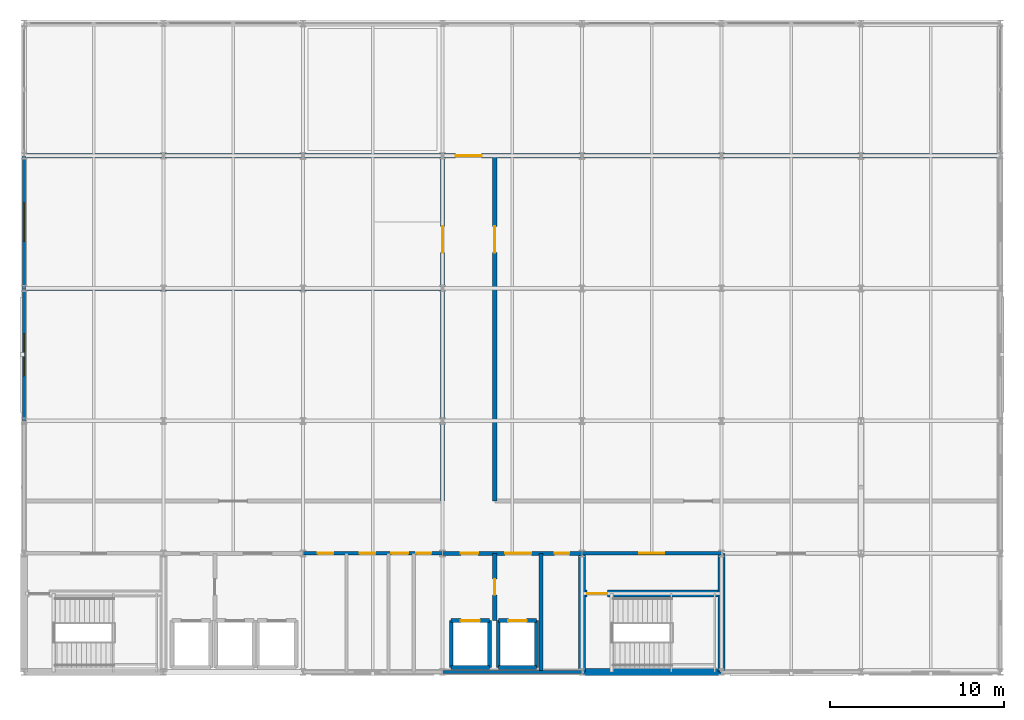
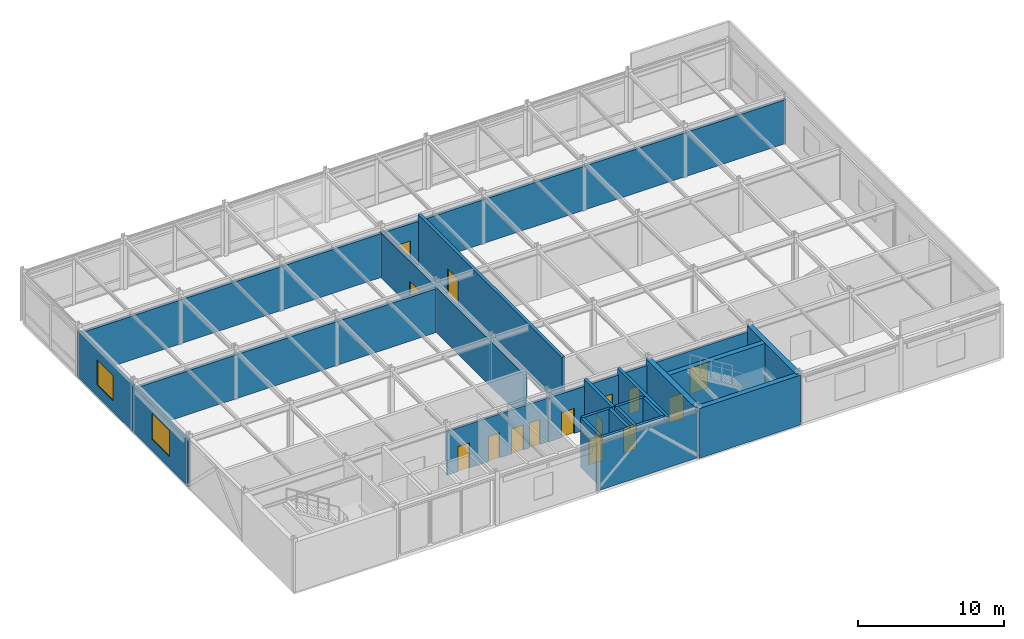
# One storey, part 14 of 16: 24 walls, 15 doors, 2 windows, 17 openings.
"""IFC4 building model written with IfcOpenShell, lengths in metres."""

from ifc_helpers import new_model, si_unit, direction, frame, frame_2d, origin, place, context, subcontext, project, spatial, rectangle, extrude, material, layer, layer_set, type_object, element, fill, save


model = new_model("IFC4")

# Units and contexts
model_context = context("Model", 3, precision=1e-05, world=origin(), true_north=direction((0.0, 1.0)))
body_context = subcontext(model_context, "Body", "Model", "MODEL_VIEW")
ifc_project = project(units=[si_unit("LENGTHUNIT", "METRE"), si_unit("AREAUNIT", "SQUARE_METRE"), si_unit("VOLUMEUNIT", "CUBIC_METRE"), si_unit("PLANEANGLEUNIT", "RADIAN"), si_unit("MASSUNIT", "GRAM", prefix="KILO")], contexts=[model_context])

# Site, building, storey
site_placement = place(None, origin())
site = spatial("IfcSite", under=ifc_project, at=site_placement, CompositionType="ELEMENT")
building_placement = place(site_placement, origin())
building = spatial("IfcBuilding", under=site, at=building_placement, Name="Shalkamar Park Central Library", CompositionType="ELEMENT")
storey_placement = place(building_placement, frame((0.0, 0.0, 51.60009765625)))
storey = spatial("IfcBuildingStorey", under=building, at=storey_placement, Name="L13", CompositionType="ELEMENT", Elevation=51.60009765625)

# Wall, opening, door
ifc_material_1 = material(Name="Reinforced fire-compartment masonry wall", Category="masonry")
ifc_layer_1 = layer(ifc_material_1, 0.239990234375)
ifc_layer_set_1 = layer_set([ifc_layer_1], Name="CompartmentWall_240")
wall_type_1 = type_object("IfcWallType", Name="Compartment Wall 240", PredefinedType="PARTITIONING", material=ifc_layer_set_1)
wall_1_placement = place(storey_placement, frame((192.0, 251.35009765625, 0.0), z_axis=(0.0, 0.0, 1.0), x_axis=(0.0, 1.0, 0.0)))
wall_1 = element("IfcWall", 1, at=wall_1_placement, inside=storey, type_object=wall_type_1, Name="Interior Partition WL-INT-L13-002", PredefinedType="PARTITIONING", context=body_context, shape_type="SweptSolid", body=[
    extrude(rectangle(XDim=3.849853515625, YDim=0.239990234375, at=frame_2d((1.9248046875, 0.0))), origin(), (0.0, 0.0, 1.0), 4.179931640625),
])
opening_1_placement = place(wall_1_placement, frame((1.47509765625, 0.0, 0.0)))
opening_1 = element("IfcOpeningElement", 2, at=opening_1_placement, cuts=wall_1, Name="Opening DR-L13-002", PredefinedType="OPENING", context=body_context, shape_type="SweptSolid", body=[
    extrude(rectangle(XDim=0.89990234375, YDim=2.10009765625, at=frame_2d((0.449951171875, 1.050048828125))), frame((0.0, 0.134765625, 0.0), z_axis=(0.0, -1.0, 0.0), x_axis=(1.0, 0.0, 0.0)), (0.0, 0.0, 1.0), 0.269775390625),
])
ifc_material_2 = material(Name="Steel S355", Category="steel")
door_type_1 = type_object("IfcDoorType", Name="Fire Door Single 900x2100", OperationType="NOTDEFINED", PredefinedType="DOOR", material=ifc_material_2)
door_1_placement = place(opening_1_placement, origin())
door_1 = element("IfcDoor", 3, at=door_1_placement, inside=storey, type_object=door_type_1, Name="Fire Lobby Interconnect Door", OperationType="SINGLE_SWING_LEFT", OverallHeight=2.10009765625, OverallWidth=0.89990234375, PredefinedType="DOOR", context=body_context, shape_type="SweptSolid", body=[
    extrude(rectangle(XDim=0.89990234375, YDim=2.10009765625, at=frame_2d((0.449951171875, 1.050048828125))), frame((0.0, 0.02490234375, 0.0), z_axis=(0.0, -1.0, 0.0), x_axis=(1.0, 0.0, 0.0)), (0.0, 0.0, 1.0), 0.050048828125),
])
fill(opening_1, door_1)

# Wall, openings, doors
wall_2_placement = place(storey_placement, frame((189.0, 255.199951171875, 0.0), z_axis=(0.0, 0.0, 1.0), x_axis=(1.0, 0.0, 0.0)))
wall_2 = element("IfcWall", 4, at=wall_2_placement, inside=storey, type_object=wall_type_1, Name="Interior Partition WL-INT-L13-009", PredefinedType="PARTITIONING", context=body_context, shape_type="SweptSolid", body=[
    extrude(rectangle(XDim=8.0, YDim=0.239990234375, at=frame_2d((4.0, 0.0))), origin(), (0.0, 0.0, 1.0), 3.677978515625),
])
opening_2_placement = place(wall_2_placement, frame((1.050048828125, 0.0, 0.0)))
opening_2 = element("IfcOpeningElement", 5, at=opening_2_placement, cuts=wall_2, Name="Opening DR-L13-009", PredefinedType="OPENING", context=body_context, shape_type="SweptSolid", body=[
    extrude(rectangle(XDim=1.0, YDim=2.10009765625, at=frame_2d((0.5, 1.050048828125))), frame((0.0, 0.134765625, 0.0), z_axis=(0.0, -1.0, 0.0), x_axis=(1.0, 0.0, 0.0)), (0.0, 0.0, 1.0), 0.269775390625),
])
opening_3_placement = place(wall_2_placement, frame((3.60009765625, 0.0, 0.0)))
opening_3 = element("IfcOpeningElement", 6, at=opening_3_placement, cuts=wall_2, Name="Opening DR-L13-010", PredefinedType="OPENING", context=body_context, shape_type="SweptSolid", body=[
    extrude(rectangle(XDim=1.5, YDim=2.25, at=frame_2d((0.75, 1.125))), frame((0.0, 0.134765625, 0.0), z_axis=(0.0, -1.0, 0.0), x_axis=(1.0, 0.0, 0.0)), (0.0, 0.0, 1.0), 0.269775390625),
])
opening_4_placement = place(wall_2_placement, frame((6.425048828125, 0.0, 0.0)))
opening_4 = element("IfcOpeningElement", 7, at=opening_4_placement, cuts=wall_2, Name="Opening DR-L13-011", PredefinedType="OPENING", context=body_context, shape_type="SweptSolid", body=[
    extrude(rectangle(XDim=0.85009765625, YDim=2.10009765625, at=frame_2d((0.425048828125, 1.050048828125))), frame((0.0, 0.134765625, 0.0), z_axis=(0.0, -1.0, 0.0), x_axis=(1.0, 0.0, 0.0)), (0.0, 0.0, 1.0), 0.269775390625),
])
door_type_2 = type_object("IfcDoorType", Name="Fire Door Riser 850x2100", OperationType="NOTDEFINED", PredefinedType="DOOR", material=ifc_material_2)
door_2_placement = place(opening_4_placement, frame((0.85009765625, 0.0, 0.0), z_axis=(0.0, 0.0, 1.0), x_axis=(-1.0, 0.0, 0.0)))
door_2 = element("IfcDoor", 8, at=door_2_placement, inside=storey, type_object=door_type_2, Name="Mechanical Riser Access Door", OperationType="SINGLE_SWING_LEFT", OverallHeight=2.10009765625, OverallWidth=0.85009765625, PredefinedType="DOOR", context=body_context, shape_type="SweptSolid", body=[
    extrude(rectangle(XDim=0.85009765625, YDim=2.10009765625, at=frame_2d((0.425048828125, 1.050048828125))), frame((0.0, 0.02490234375, 0.0), z_axis=(0.0, -1.0, 0.0), x_axis=(1.0, 0.0, 0.0)), (0.0, 0.0, 1.0), 0.050048828125),
])
fill(opening_4, door_2)
door_type_3 = type_object("IfcDoorType", Name="Fire Door Single 1000x2100", OperationType="NOTDEFINED", PredefinedType="DOOR", material=ifc_material_2)
door_3_placement = place(opening_2_placement, frame((1.0, 0.0, 0.0), z_axis=(0.0, 0.0, 1.0), x_axis=(-1.0, 0.0, 0.0)))
door_3 = element("IfcDoor", 9, at=door_3_placement, inside=storey, type_object=door_type_3, Name="East Firefighting Lobby Door", OperationType="SINGLE_SWING_RIGHT", OverallHeight=2.10009765625, OverallWidth=1.0, PredefinedType="DOOR", context=body_context, shape_type="SweptSolid", body=[
    extrude(rectangle(XDim=1.0, YDim=2.10009765625, at=frame_2d((0.5, 1.050048828125))), frame((0.0, 0.02490234375, 0.0), z_axis=(0.0, -1.0, 0.0), x_axis=(1.0, 0.0, 0.0)), (0.0, 0.0, 1.0), 0.050048828125),
])
fill(opening_2, door_3)
door_type_4 = type_object("IfcDoorType", Name="Interior Door Double 1500x2250", OperationType="DOUBLE_DOOR_SINGLE_SWING", PredefinedType="DOOR", material=ifc_material_2)
door_4_placement = place(opening_3_placement, frame((1.5, 0.0, 0.0), z_axis=(0.0, 0.0, 1.0), x_axis=(-1.0, 0.0, 0.0)))
door_4 = element("IfcDoor", 10, at=door_4_placement, inside=storey, type_object=door_type_4, Name="East Lift Lobby Entrance", OperationType="DOUBLE_DOOR_SINGLE_SWING", OverallHeight=2.25, OverallWidth=1.5, PredefinedType="DOOR", context=body_context, shape_type="SweptSolid", body=[
    extrude(rectangle(XDim=1.5, YDim=2.25, at=frame_2d((0.75, 1.125))), frame((0.0, 0.02490234375, 0.0), z_axis=(0.0, -1.0, 0.0), x_axis=(1.0, 0.0, 0.0)), (0.0, 0.0, 1.0), 0.050048828125),
])
fill(opening_3, door_4)

# Wall, opening, door
wall_3_placement = place(storey_placement, frame((189.0, 258.199951171875, 0.0), z_axis=(0.0, 0.0, 1.0), x_axis=(0.0, 1.0, 0.0)))
wall_3 = element("IfcWall", 11, at=wall_3_placement, inside=storey, type_object=wall_type_1, Name="Interior Partition WL-INT-L13-013", PredefinedType="PARTITIONING", context=body_context, shape_type="SweptSolid", body=[
    extrude(rectangle(XDim=19.800048828125, YDim=0.239990234375, at=frame_2d((9.89990234375, 0.0))), origin(), (0.0, 0.0, 1.0), 3.77783203125),
])
opening_5_placement = place(wall_3_placement, frame((14.25, 0.0, 0.0)))
opening_5 = element("IfcOpeningElement", 12, at=opening_5_placement, cuts=wall_3, Name="Opening DR-L13-015", PredefinedType="OPENING", context=body_context, shape_type="SweptSolid", body=[
    extrude(rectangle(XDim=1.5, YDim=2.10009765625, at=frame_2d((0.75, 1.050048828125))), frame((0.0, 0.134765625, 0.0), z_axis=(0.0, -1.0, 0.0), x_axis=(1.0, 0.0, 0.0)), (0.0, 0.0, 1.0), 0.269775390625),
])
door_type_5 = type_object("IfcDoorType", Name="Fire Door Double 1500x2100", OperationType="DOUBLE_DOOR_SINGLE_SWING", PredefinedType="DOOR", material=ifc_material_2)
door_5_placement = place(opening_5_placement, origin())
door_5 = element("IfcDoor", 13, at=door_5_placement, inside=storey, type_object=door_type_5, Name="Hydronic Calorifier Plant Door", OperationType="DOUBLE_DOOR_SINGLE_SWING", OverallHeight=2.10009765625, OverallWidth=1.5, PredefinedType="DOOR", context=body_context, shape_type="SweptSolid", body=[
    extrude(rectangle(XDim=1.5, YDim=2.10009765625, at=frame_2d((0.75, 1.050048828125))), frame((0.0, 0.02490234375, 0.0), z_axis=(0.0, -1.0, 0.0), x_axis=(1.0, 0.0, 0.0)), (0.0, 0.0, 1.0), 0.050048828125),
])
fill(opening_5, door_5)

wall_4_placement = place(storey_placement, frame((192.0, 258.199951171875, 0.0), z_axis=(0.0, 0.0, 1.0), x_axis=(0.0, 1.0, 0.0)))
wall_4 = element("IfcWall", 14, at=wall_4_placement, inside=storey, type_object=wall_type_1, Name="Interior Partition WL-INT-L13-014", PredefinedType="PARTITIONING", context=body_context, shape_type="SweptSolid", body=[
    extrude(rectangle(XDim=19.800048828125, YDim=0.239990234375, at=frame_2d((9.89990234375, 0.0))), origin(), (0.0, 0.0, 1.0), 4.179931640625),
])
opening_6_placement = place(wall_4_placement, frame((14.25, 0.0, 0.0)))
opening_6 = element("IfcOpeningElement", 15, at=opening_6_placement, cuts=wall_4, Name="Opening DR-L13-016", PredefinedType="OPENING", context=body_context, shape_type="SweptSolid", body=[
    extrude(rectangle(XDim=1.5, YDim=2.10009765625, at=frame_2d((0.75, 1.050048828125))), frame((0.0, 0.134765625, 0.0), z_axis=(0.0, -1.0, 0.0), x_axis=(1.0, 0.0, 0.0)), (0.0, 0.0, 1.0), 0.269775390625),
])
door_6_placement = place(opening_6_placement, frame((1.5, 0.0, 0.0), z_axis=(0.0, 0.0, 1.0), x_axis=(-1.0, 0.0, 0.0)))
door_6 = element("IfcDoor", 16, at=door_6_placement, inside=storey, type_object=door_type_5, Name="Tower Electrical Switchgear Door", OperationType="DOUBLE_DOOR_SINGLE_SWING", OverallHeight=2.10009765625, OverallWidth=1.5, PredefinedType="DOOR", context=body_context, shape_type="SweptSolid", body=[
    extrude(rectangle(XDim=1.5, YDim=2.10009765625, at=frame_2d((0.75, 1.050048828125))), frame((0.0, 0.02490234375, 0.0), z_axis=(0.0, -1.0, 0.0), x_axis=(1.0, 0.0, 0.0)), (0.0, 0.0, 1.0), 0.050048828125),
])
fill(opening_6, door_6)

# Wall
wall_5_placement = place(storey_placement, frame((165.0, 270.39990234375, 0.0), z_axis=(0.0, 0.0, 1.0), x_axis=(1.0, 0.0, 0.0)))
element("IfcWall", 17, at=wall_5_placement, inside=storey, type_object=wall_type_1, Name="Interior Partition WL-INT-L13-015", PredefinedType="PARTITIONING", context=body_context, shape_type="SweptSolid", body=[
    extrude(rectangle(XDim=24.0, YDim=0.239990234375, at=frame_2d((12.0, 0.0))), origin(), (0.0, 0.0, 1.0), 3.677978515625),
])

# Wall, opening, door
wall_6_placement = place(storey_placement, frame((165.0, 278.0, 0.0), z_axis=(0.0, 0.0, 1.0), x_axis=(1.0, 0.0, 0.0)))
wall_6 = element("IfcWall", 18, at=wall_6_placement, inside=storey, type_object=wall_type_1, Name="Interior Partition WL-INT-L13-017", PredefinedType="PARTITIONING", context=body_context, shape_type="SweptSolid", body=[
    extrude(rectangle(XDim=56.0, YDim=0.239990234375, at=frame_2d((28.0, 0.0))), origin(), (0.0, 0.0, 1.0), 3.677978515625),
])
opening_7_placement = place(wall_6_placement, frame((24.75, 0.0, 0.0)))
opening_7 = element("IfcOpeningElement", 19, at=opening_7_placement, cuts=wall_6, Name="Opening DR-L13-017", PredefinedType="OPENING", context=body_context, shape_type="SweptSolid", body=[
    extrude(rectangle(XDim=1.5, YDim=2.25, at=frame_2d((0.75, 1.125))), frame((0.0, 0.134765625, 0.0), z_axis=(0.0, -1.0, 0.0), x_axis=(1.0, 0.0, 0.0)), (0.0, 0.0, 1.0), 0.269775390625),
])
door_type_6 = type_object("IfcDoorType", Name="Fire Door Double 1500x2250", OperationType="DOUBLE_DOOR_SINGLE_SWING", PredefinedType="DOOR", material=ifc_material_2)
door_7_placement = place(opening_7_placement, origin())
door_7 = element("IfcDoor", 20, at=door_7_placement, inside=storey, type_object=door_type_6, Name="L13 Sky Reading Room Entrance", OperationType="DOUBLE_DOOR_SINGLE_SWING", OverallHeight=2.25, OverallWidth=1.5, PredefinedType="DOOR", context=body_context, shape_type="SweptSolid", body=[
    extrude(rectangle(XDim=1.5, YDim=2.25, at=frame_2d((0.75, 1.125))), frame((0.0, 0.02490234375, 0.0), z_axis=(0.0, -1.0, 0.0), x_axis=(1.0, 0.0, 0.0)), (0.0, 0.0, 1.0), 0.050048828125),
])
fill(opening_7, door_7)

ifc_material_3 = material(Name="Fire-rated corridor partition wall", Category="masonry")
ifc_layer_2 = layer(ifc_material_3, 0.199951171875)
ifc_layer_set_2 = layer_set([ifc_layer_2], Name="CorridorFireWall_200")
wall_type_2 = type_object("IfcWallType", Name="Corridor Fire Wall 200", PredefinedType="PARTITIONING", material=ifc_layer_set_2)
wall_7_placement = place(storey_placement, frame((197.0, 255.199951171875, 0.0), z_axis=(0.0, 0.0, 1.0), x_axis=(1.0, 0.0, 0.0)))
wall_7 = element("IfcWall", 21, at=wall_7_placement, inside=storey, type_object=wall_type_2, Name="CORE-T2 Vestibule North Wall (L13)", PredefinedType="PARTITIONING", context=body_context, shape_type="SweptSolid", body=[
    extrude(rectangle(XDim=8.0, YDim=0.199951171875, at=frame_2d((4.0, 0.0))), origin(), (0.0, 0.0, 1.0), 3.677978515625),
])
opening_8_placement = place(wall_7_placement, frame((3.27490234375, 0.0, 0.0)))
opening_8 = element("IfcOpeningElement", 22, at=opening_8_placement, cuts=wall_7, Name="Opening DR-ST-T2-L13-VEST", PredefinedType="OPENING", context=body_context, shape_type="SweptSolid", body=[
    extrude(rectangle(XDim=1.449951171875, YDim=2.199951171875, at=frame_2d((0.72509765625, 1.10009765625))), frame((0.0, 0.11474609375, 0.0), z_axis=(0.0, -1.0, 0.0), x_axis=(1.0, 0.0, 0.0)), (0.0, 0.0, 1.0), 0.229736328125),
])
door_type_7 = type_object("IfcDoorType", Name="Stair Vestibule Door 1450x2200", OperationType="DOUBLE_DOOR_SINGLE_SWING", PredefinedType="DOOR", material=ifc_material_2)
door_8_placement = place(opening_8_placement, frame((1.449951171875, 0.0, 0.0), z_axis=(0.0, 0.0, 1.0), x_axis=(-1.0, 0.0, 0.0)))
door_8 = element("IfcDoor", 23, at=door_8_placement, inside=storey, type_object=door_type_7, Name="Protected Stair ST-T2 Vestibule Door (L13)", OperationType="DOUBLE_DOOR_SINGLE_SWING", OverallHeight=2.199951171875, OverallWidth=1.449951171875, PredefinedType="DOOR", context=body_context, shape_type="SweptSolid", body=[
    extrude(rectangle(XDim=1.449951171875, YDim=2.199951171875, at=frame_2d((0.72509765625, 1.10009765625))), frame((0.0, 0.02490234375, 0.0), z_axis=(0.0, -1.0, 0.0), x_axis=(1.0, 0.0, 0.0)), (0.0, 0.0, 1.0), 0.050048828125),
])
fill(opening_8, door_8)

# Wall, openings, doors
wall_8_placement = place(storey_placement, frame((181.0, 255.199951171875, 0.0), z_axis=(0.0, 0.0, 1.0), x_axis=(1.0, 0.0, 0.0)))
wall_8 = element("IfcWall", 24, at=wall_8_placement, inside=storey, type_object=wall_type_2, Name="Interior Partition WL-INT-L13-008", PredefinedType="PARTITIONING", context=body_context, shape_type="SweptSolid", body=[
    extrude(rectangle(XDim=8.0, YDim=0.199951171875, at=frame_2d((4.0, 0.0))), origin(), (0.0, 0.0, 1.0), 3.677978515625),
])
opening_9_placement = place(wall_8_placement, frame((0.85009765625, 0.0, 0.0)))
opening_9 = element("IfcOpeningElement", 25, at=opening_9_placement, cuts=wall_8, Name="Opening DR-L13-005", PredefinedType="OPENING", context=body_context, shape_type="SweptSolid", body=[
    extrude(rectangle(XDim=0.89990234375, YDim=2.10009765625, at=frame_2d((0.449951171875, 1.050048828125))), frame((0.0, 0.11474609375, 0.0), z_axis=(0.0, -1.0, 0.0), x_axis=(1.0, 0.0, 0.0)), (0.0, 0.0, 1.0), 0.229736328125),
])
opening_10_placement = place(wall_8_placement, frame((3.25, 0.0, 0.0)))
opening_10 = element("IfcOpeningElement", 26, at=opening_10_placement, cuts=wall_8, Name="Opening DR-L13-006", PredefinedType="OPENING", context=body_context, shape_type="SweptSolid", body=[
    extrude(rectangle(XDim=0.89990234375, YDim=2.10009765625, at=frame_2d((0.449951171875, 1.050048828125))), frame((0.0, 0.11474609375, 0.0), z_axis=(0.0, -1.0, 0.0), x_axis=(1.0, 0.0, 0.0)), (0.0, 0.0, 1.0), 0.229736328125),
])
opening_11_placement = place(wall_8_placement, frame((5.074951171875, 0.0, 0.0)))
opening_11 = element("IfcOpeningElement", 27, at=opening_11_placement, cuts=wall_8, Name="Opening DR-L13-007", PredefinedType="OPENING", context=body_context, shape_type="SweptSolid", body=[
    extrude(rectangle(XDim=0.949951171875, YDim=2.10009765625, at=frame_2d((0.47509765625, 1.050048828125))), frame((0.0, 0.11474609375, 0.0), z_axis=(0.0, -1.0, 0.0), x_axis=(1.0, 0.0, 0.0)), (0.0, 0.0, 1.0), 0.229736328125),
])
opening_12_placement = place(wall_8_placement, frame((6.5, 0.0, 0.0)))
opening_12 = element("IfcOpeningElement", 28, at=opening_12_placement, cuts=wall_8, Name="Opening DR-L13-008", PredefinedType="OPENING", context=body_context, shape_type="SweptSolid", body=[
    extrude(rectangle(XDim=0.85009765625, YDim=2.10009765625, at=frame_2d((0.425048828125, 1.050048828125))), frame((0.0, 0.11474609375, 0.0), z_axis=(0.0, -1.0, 0.0), x_axis=(1.0, 0.0, 0.0)), (0.0, 0.0, 1.0), 0.229736328125),
])
door_9_placement = place(opening_12_placement, frame((0.85009765625, 0.0, 0.0), z_axis=(0.0, 0.0, 1.0), x_axis=(-1.0, 0.0, 0.0)))
door_9 = element("IfcDoor", 29, at=door_9_placement, inside=storey, type_object=door_type_2, Name="Electrical Riser Access Door", OperationType="SINGLE_SWING_LEFT", OverallHeight=2.10009765625, OverallWidth=0.85009765625, PredefinedType="DOOR", context=body_context, shape_type="SweptSolid", body=[
    extrude(rectangle(XDim=0.85009765625, YDim=2.10009765625, at=frame_2d((0.425048828125, 1.050048828125))), frame((0.0, 0.02490234375, 0.0), z_axis=(0.0, -1.0, 0.0), x_axis=(1.0, 0.0, 0.0)), (0.0, 0.0, 1.0), 0.050048828125),
])
fill(opening_12, door_9)
door_type_8 = type_object("IfcDoorType", Name="Interior Door Single 900x2100", OperationType="NOTDEFINED", PredefinedType="DOOR", material=ifc_material_2)
door_10_placement = place(opening_9_placement, frame((0.89990234375, 0.0, 0.0), z_axis=(0.0, 0.0, 1.0), x_axis=(-1.0, 0.0, 0.0)))
door_10 = element("IfcDoor", 30, at=door_10_placement, inside=storey, type_object=door_type_8, Name="Male WC Door", OperationType="SINGLE_SWING_RIGHT", OverallHeight=2.10009765625, OverallWidth=0.89990234375, PredefinedType="DOOR", context=body_context, shape_type="SweptSolid", body=[
    extrude(rectangle(XDim=0.89990234375, YDim=2.10009765625, at=frame_2d((0.449951171875, 1.050048828125))), frame((0.0, 0.02490234375, 0.0), z_axis=(0.0, -1.0, 0.0), x_axis=(1.0, 0.0, 0.0)), (0.0, 0.0, 1.0), 0.050048828125),
])
fill(opening_9, door_10)
door_11_placement = place(opening_10_placement, frame((0.89990234375, 0.0, 0.0), z_axis=(0.0, 0.0, 1.0), x_axis=(-1.0, 0.0, 0.0)))
door_11 = element("IfcDoor", 31, at=door_11_placement, inside=storey, type_object=door_type_8, Name="Female WC Door", OperationType="SINGLE_SWING_RIGHT", OverallHeight=2.10009765625, OverallWidth=0.89990234375, PredefinedType="DOOR", context=body_context, shape_type="SweptSolid", body=[
    extrude(rectangle(XDim=0.89990234375, YDim=2.10009765625, at=frame_2d((0.449951171875, 1.050048828125))), frame((0.0, 0.02490234375, 0.0), z_axis=(0.0, -1.0, 0.0), x_axis=(1.0, 0.0, 0.0)), (0.0, 0.0, 1.0), 0.050048828125),
])
fill(opening_10, door_11)
door_type_9 = type_object("IfcDoorType", Name="Interior Door Single 950x2100", OperationType="NOTDEFINED", PredefinedType="DOOR", material=ifc_material_2)
door_12_placement = place(opening_11_placement, frame((0.949951171875, 0.0, 0.0), z_axis=(0.0, 0.0, 1.0), x_axis=(-1.0, 0.0, 0.0)))
door_12 = element("IfcDoor", 32, at=door_12_placement, inside=storey, type_object=door_type_9, Name="Universal Accessible WC Door", OperationType="SINGLE_SWING_LEFT", OverallHeight=2.10009765625, OverallWidth=0.949951171875, PredefinedType="DOOR", context=body_context, shape_type="SweptSolid", body=[
    extrude(rectangle(XDim=0.949951171875, YDim=2.10009765625, at=frame_2d((0.47509765625, 1.050048828125))), frame((0.0, 0.02490234375, 0.0), z_axis=(0.0, -1.0, 0.0), x_axis=(1.0, 0.0, 0.0)), (0.0, 0.0, 1.0), 0.050048828125),
])
fill(opening_11, door_12)

# Walls
ifc_material_4 = material(Name="Concrete C40/50", Category="concrete")
ifc_layer_3 = layer(ifc_material_4, 0.219970703125)
ifc_layer_set_3 = layer_set([ifc_layer_3], Name="Concrete C40/50")
wall_type_3 = type_object("IfcWallType", Name="Lift Hoistway Shear Wall 220", PredefinedType="SHEAR", material=ifc_layer_set_3)
wall_9_placement = place(storey_placement, frame((189.5, 248.64990234375, 0.0), z_axis=(0.0, 0.0, 1.0), x_axis=(1.0, 0.0, 0.0)))
element("IfcWall", 33, at=wall_9_placement, inside=storey, type_object=wall_type_3, Name="Lift FFL-02 Hoistway South Wall (L13)", PredefinedType="SHEAR", context=body_context, shape_type="SweptSolid", body=[
    extrude(rectangle(XDim=2.199951171875, YDim=0.219970703125, at=frame_2d((1.10009765625, 0.0))), origin(), (0.0, 0.0, 1.0), 4.179931640625),
])
for number, where, z_axis, x_axis, name in (
    (34, (189.5, 248.64990234375, 0.0), (0.0, 0.0, 1.0), (0.0, 1.0, 0.0), "Lift FFL-02 Hoistway West Wall (L13)"),
    (35, (191.699951171875, 248.64990234375, 0.0), (0.0, 0.0, 1.0), (0.0, 1.0, 0.0), "Lift FFL-02 Hoistway East Wall (L13)"),
):
    element("IfcWall", number, at=place(storey_placement, frame(where, z_axis=z_axis, x_axis=x_axis)), inside=storey, type_object=wall_type_3, Name=name, PredefinedType="SHEAR", context=body_context, shape_type="SweptSolid", body=[
        extrude(rectangle(XDim=2.7001953125, YDim=0.219970703125, at=frame_2d((1.35009765625, 0.0))), origin(), (0.0, 0.0, 1.0), 4.179931640625),
    ])

# Wall, opening, door
wall_10_placement = place(storey_placement, frame((189.5, 251.35009765625, 0.0), z_axis=(0.0, 0.0, 1.0), x_axis=(1.0, 0.0, 0.0)))
wall_10 = element("IfcWall", 36, at=wall_10_placement, inside=storey, type_object=wall_type_3, Name="Lift FFL-02 Hoistway Front Wall (L13)", PredefinedType="SHEAR", context=body_context, shape_type="SweptSolid", body=[
    extrude(rectangle(XDim=2.199951171875, YDim=0.219970703125, at=frame_2d((1.10009765625, 0.0))), origin(), (0.0, 0.0, 1.0), 4.179931640625),
])
opening_13_placement = place(wall_10_placement, frame((0.550048828125, 0.0, 0.0)))
opening_13 = element("IfcOpeningElement", 37, at=opening_13_placement, cuts=wall_10, Name="Opening LD-FFL-02-L13", PredefinedType="OPENING", context=body_context, shape_type="SweptSolid", body=[
    extrude(rectangle(XDim=1.10009765625, YDim=2.14990234375, at=frame_2d((0.550048828125, 1.074951171875))), frame((0.0, 0.125, 0.0), z_axis=(0.0, -1.0, 0.0), x_axis=(1.0, 0.0, 0.0)), (0.0, 0.0, 1.0), 0.249755859375),
])
door_type_10 = type_object("IfcDoorType", Name="Fire Lift Landing Door 1100x2150", OperationType="DOUBLE_DOOR_SLIDING", PredefinedType="USERDEFINED", material=ifc_material_2)
door_13_placement = place(opening_13_placement, origin())
door_13 = element("IfcDoor", 38, at=door_13_placement, inside=storey, type_object=door_type_10, Name="Lift FFL-02 Sliding Landing Door (L13)", ObjectType="SLIDING LANDING DOOR", OperationType="DOUBLE_DOOR_SLIDING", OverallHeight=2.14990234375, OverallWidth=1.10009765625, PredefinedType="USERDEFINED", context=body_context, shape_type="SweptSolid", body=[
    extrude(rectangle(XDim=1.10009765625, YDim=2.14990234375, at=frame_2d((0.550048828125, 1.074951171875))), frame((0.0, 0.02490234375, 0.0), z_axis=(0.0, -1.0, 0.0), x_axis=(1.0, 0.0, 0.0)), (0.0, 0.0, 1.0), 0.050048828125),
])
fill(opening_13, door_13)

# Walls
wall_11_placement = place(storey_placement, frame((192.199951171875, 248.64990234375, 0.0), z_axis=(0.0, 0.0, 1.0), x_axis=(1.0, 0.0, 0.0)))
element("IfcWall", 39, at=wall_11_placement, inside=storey, type_object=wall_type_3, Name="Lift LT-03 Hoistway South Wall (L13)", PredefinedType="SHEAR", context=body_context, shape_type="SweptSolid", body=[
    extrude(rectangle(XDim=2.199951171875, YDim=0.219970703125, at=frame_2d((1.10009765625, 0.0))), origin(), (0.0, 0.0, 1.0), 4.179931640625),
])
for number, where, z_axis, x_axis, name in (
    (40, (192.199951171875, 248.64990234375, 0.0), (0.0, 0.0, 1.0), (0.0, 1.0, 0.0), "Lift LT-03 Hoistway West Wall (L13)"),
    (41, (194.39990234375, 248.64990234375, 0.0), (0.0, 0.0, 1.0), (0.0, 1.0, 0.0), "Lift LT-03 Hoistway East Wall (L13)"),
):
    element("IfcWall", number, at=place(storey_placement, frame(where, z_axis=z_axis, x_axis=x_axis)), inside=storey, type_object=wall_type_3, Name=name, PredefinedType="SHEAR", context=body_context, shape_type="SweptSolid", body=[
        extrude(rectangle(XDim=2.7001953125, YDim=0.219970703125, at=frame_2d((1.35009765625, 0.0))), origin(), (0.0, 0.0, 1.0), 4.179931640625),
    ])

# Wall, opening, door
wall_12_placement = place(storey_placement, frame((192.199951171875, 251.35009765625, 0.0), z_axis=(0.0, 0.0, 1.0), x_axis=(1.0, 0.0, 0.0)))
wall_12 = element("IfcWall", 42, at=wall_12_placement, inside=storey, type_object=wall_type_3, Name="Lift LT-03 Hoistway Front Wall (L13)", PredefinedType="SHEAR", context=body_context, shape_type="SweptSolid", body=[
    extrude(rectangle(XDim=2.199951171875, YDim=0.219970703125, at=frame_2d((1.10009765625, 0.0))), origin(), (0.0, 0.0, 1.0), 4.179931640625),
])
opening_14_placement = place(wall_12_placement, frame((0.574951171875, 0.0, 0.0)))
opening_14 = element("IfcOpeningElement", 43, at=opening_14_placement, cuts=wall_12, Name="Opening LD-LT-03-L13", PredefinedType="OPENING", context=body_context, shape_type="SweptSolid", body=[
    extrude(rectangle(XDim=1.050048828125, YDim=2.14990234375, at=frame_2d((0.52490234375, 1.074951171875))), frame((0.0, 0.125, 0.0), z_axis=(0.0, -1.0, 0.0), x_axis=(1.0, 0.0, 0.0)), (0.0, 0.0, 1.0), 0.249755859375),
])
door_type_11 = type_object("IfcDoorType", Name="Passenger Lift Landing Door 1050x2150", OperationType="DOUBLE_DOOR_SLIDING", PredefinedType="USERDEFINED", material=ifc_material_2)
door_14_placement = place(opening_14_placement, origin())
door_14 = element("IfcDoor", 44, at=door_14_placement, inside=storey, type_object=door_type_11, Name="Lift LT-03 Sliding Landing Door (L13)", ObjectType="SLIDING LANDING DOOR", OperationType="DOUBLE_DOOR_SLIDING", OverallHeight=2.14990234375, OverallWidth=1.050048828125, PredefinedType="USERDEFINED", context=body_context, shape_type="SweptSolid", body=[
    extrude(rectangle(XDim=1.050048828125, YDim=2.14990234375, at=frame_2d((0.52490234375, 1.074951171875))), frame((0.0, 0.02490234375, 0.0), z_axis=(0.0, -1.0, 0.0), x_axis=(1.0, 0.0, 0.0)), (0.0, 0.0, 1.0), 0.050048828125),
])
fill(opening_14, door_14)

# Walls
ifc_material_5 = material(Name="Fire-rated shaft enclosure wall", Category="masonry")
ifc_layer_4 = layer(ifc_material_5, 0.219970703125)
ifc_layer_set_4 = layer_set([ifc_layer_4], Name="ShaftWall_220")
wall_type_4 = type_object("IfcWallType", Name="Shaft Wall 220", PredefinedType="PARTITIONING", material=ifc_layer_set_4)
wall_13_placement = place(storey_placement, frame((194.64990234375, 248.39990234375, 0.0), z_axis=(0.0, 0.0, 1.0), x_axis=(0.0, 1.0, 0.0)))
element("IfcWall", 45, at=wall_13_placement, inside=storey, type_object=wall_type_4, Name="Interior Partition WL-INT-L13-003", PredefinedType="PARTITIONING", context=body_context, shape_type="SweptSolid", body=[
    extrude(rectangle(XDim=6.800048828125, YDim=0.219970703125, at=frame_2d((3.39990234375, 0.0))), origin(), (0.0, 0.0, 1.0), 4.179931640625),
])
ifc_layer_5 = layer(ifc_material_4, 0.39990234375)
ifc_layer_set_5 = layer_set([ifc_layer_5], Name="Concrete C40/50")
wall_type_5 = type_object("IfcWallType", Name="Tower Core Shear Wall 400", PredefinedType="SHEAR", material=ifc_layer_set_5)
wall_14_placement = place(storey_placement, frame((197.0, 248.39990234375, 0.0), z_axis=(0.0, 0.0, 1.0), x_axis=(1.0, 0.0, 0.0)))
element("IfcWall", 46, at=wall_14_placement, inside=storey, type_object=wall_type_5, Name="CORE-T2 South Shear Wall (L13)", PredefinedType="SHEAR", context=body_context, shape_type="SweptSolid", body=[
    extrude(rectangle(XDim=8.0, YDim=0.39990234375, at=frame_2d((4.0, 0.0))), origin(), (0.0, 0.0, 1.0), 4.179931640625),
])
for number, where, z_axis, x_axis, name in (
    (47, (197.0, 248.39990234375, 0.0), (0.0, 0.0, 1.0), (0.0, 1.0, 0.0), "CORE-T2 West Shear Wall (L13)"),
    (48, (205.0, 248.39990234375, 0.0), (0.0, 0.0, 1.0), (0.0, 1.0, 0.0), "CORE-T2 East Shear Wall (L13)"),
):
    element("IfcWall", number, at=place(storey_placement, frame(where, z_axis=z_axis, x_axis=x_axis)), inside=storey, type_object=wall_type_5, Name=name, PredefinedType="SHEAR", context=body_context, shape_type="SweptSolid", body=[
        extrude(rectangle(XDim=6.800048828125, YDim=0.39990234375, at=frame_2d((3.39990234375, 0.0))), origin(), (0.0, 0.0, 1.0), 4.179931640625),
    ])

# Wall, opening, door
wall_15_placement = place(storey_placement, frame((197.0, 252.89990234375, 0.0), z_axis=(0.0, 0.0, 1.0), x_axis=(1.0, 0.0, 0.0)))
wall_15 = element("IfcWall", 49, at=wall_15_placement, inside=storey, type_object=wall_type_5, Name="CORE-T2 Stairwell Wall (L13)", PredefinedType="SHEAR", context=body_context, shape_type="SweptSolid", body=[
    extrude(rectangle(XDim=8.0, YDim=0.39990234375, at=frame_2d((4.0, 0.0))), origin(), (0.0, 0.0, 1.0), 4.179931640625),
])
opening_15_placement = place(wall_15_placement, frame((0.300048828125, 0.0, 0.0)))
opening_15 = element("IfcOpeningElement", 50, at=opening_15_placement, cuts=wall_15, Name="Opening DR-ST-T2-L13-IN", PredefinedType="OPENING", context=body_context, shape_type="SweptSolid", body=[
    extrude(rectangle(XDim=1.14990234375, YDim=2.14990234375, at=frame_2d((0.574951171875, 1.074951171875))), frame((0.0, 0.21484375, 0.0), z_axis=(0.0, -1.0, 0.0), x_axis=(1.0, 0.0, 0.0)), (0.0, 0.0, 1.0), 0.4296875),
])
door_type_12 = type_object("IfcDoorType", Name="Stair Core Exit Door 1150x2150", OperationType="NOTDEFINED", PredefinedType="DOOR", material=ifc_material_2)
door_15_placement = place(opening_15_placement, frame((1.14990234375, 0.0, 0.0), z_axis=(0.0, 0.0, 1.0), x_axis=(-1.0, 0.0, 0.0)))
door_15 = element("IfcDoor", 51, at=door_15_placement, inside=storey, type_object=door_type_12, Name="Protected Stair ST-T2 Exit Door (L13)", OperationType="SINGLE_SWING_RIGHT", OverallHeight=2.14990234375, OverallWidth=1.14990234375, PredefinedType="DOOR", context=body_context, shape_type="SweptSolid", body=[
    extrude(rectangle(XDim=1.14990234375, YDim=2.14990234375, at=frame_2d((0.574951171875, 1.074951171875))), frame((0.0, 0.02490234375, 0.0), z_axis=(0.0, -1.0, 0.0), x_axis=(1.0, 0.0, 0.0)), (0.0, 0.0, 1.0), 0.050048828125),
])
fill(opening_15, door_15)

# Wall
ifc_material_6 = material(Name="Terracotta insulated wall panel", Category="masonry")
ifc_layer_6 = layer(ifc_material_6, 0.179931640625)
ifc_layer_set_6 = layer_set([ifc_layer_6], Name="TowerSpandrelWall_180")
wall_type_6 = type_object("IfcWallType", Name="Tower Spandrel Wall 180", PredefinedType="SOLIDWALL", material=ifc_layer_set_6)
wall_16_placement = place(storey_placement, frame((189.006103515625, 248.39990234375, 0.0), z_axis=(0.0, 0.0, 1.0), x_axis=(1.0, 0.0, 0.0)))
element("IfcWall", 52, at=wall_16_placement, inside=storey, type_object=wall_type_6, Name="Exterior Facade Wall WL-EXT-L13-237", PredefinedType="SOLIDWALL", context=body_context, shape_type="SweptSolid", body=[
    extrude(rectangle(XDim=7.98779296875, YDim=0.179931640625, at=frame_2d((3.993896484375, 0.0))), origin(), (0.0, 0.0, 1.0), 3.867919921875),
])

# Wall, opening, window
wall_17_placement = place(storey_placement, frame((165.0, 262.805908203125, 0.0), z_axis=(0.0, 0.0, 1.0), x_axis=(0.0, 1.0, 0.0)))
wall_17 = element("IfcWall", 53, at=wall_17_placement, inside=storey, type_object=wall_type_6, Name="Exterior Facade Wall WL-EXT-L13-241", PredefinedType="SOLIDWALL", context=body_context, shape_type="SweptSolid", body=[
    extrude(rectangle(XDim=7.588134765625, YDim=0.179931640625, at=frame_2d((3.7939453125, 0.0))), origin(), (0.0, 0.0, 1.0), 3.907958984375),
])
opening_16_placement = place(wall_17_placement, frame((2.593994140625, 0.0, 0.949951171875)))
opening_16 = element("IfcOpeningElement", 54, at=opening_16_placement, cuts=wall_17, Name="Opening WN-09", PredefinedType="OPENING", context=body_context, shape_type="SweptSolid", body=[
    extrude(rectangle(XDim=2.39990234375, YDim=2.199951171875, at=frame_2d((1.199951171875, 1.10009765625))), frame((0.0, 0.10498046875, 0.0), z_axis=(0.0, -1.0, 0.0), x_axis=(1.0, 0.0, 0.0)), (0.0, 0.0, 1.0), 0.209716796875),
])
ifc_material_7 = material(Name="Thermally broken aluminium and triple low-e glass", Category="glass")
window_type_1 = type_object("IfcWindowType", Name="Tower Window 2400x2200", PartitioningType="DOUBLE_PANEL_VERTICAL", PredefinedType="WINDOW", material=ifc_material_7)
window_1_placement = place(opening_16_placement, origin())
window_1 = element("IfcWindow", 55, at=window_1_placement, inside=storey, type_object=window_type_1, Name="Facade Window WN-L13-176", OverallHeight=2.199951171875, OverallWidth=2.39990234375, PartitioningType="DOUBLE_PANEL_VERTICAL", PredefinedType="WINDOW", context=body_context, shape_type="SweptSolid", body=[
    extrude(rectangle(XDim=2.39990234375, YDim=2.199951171875, at=frame_2d((1.199951171875, 1.10009765625))), frame((0.0, 0.030029296875, 0.0), z_axis=(0.0, -1.0, 0.0), x_axis=(1.0, 0.0, 0.0)), (0.0, 0.0, 1.0), 0.06005859375),
])
fill(opening_16, window_1)

wall_18_placement = place(storey_placement, frame((165.0, 270.406005859375, 0.0), z_axis=(0.0, 0.0, 1.0), x_axis=(0.0, 1.0, 0.0)))
wall_18 = element("IfcWall", 56, at=wall_18_placement, inside=storey, type_object=wall_type_6, Name="Exterior Facade Wall WL-EXT-L13-242", PredefinedType="SOLIDWALL", context=body_context, shape_type="SweptSolid", body=[
    extrude(rectangle(XDim=7.587890625, YDim=0.179931640625, at=frame_2d((3.7939453125, 0.0))), origin(), (0.0, 0.0, 1.0), 3.907958984375),
])
opening_17_placement = place(wall_18_placement, frame((2.694091796875, 0.0, 0.949951171875)))
opening_17 = element("IfcOpeningElement", 57, at=opening_17_placement, cuts=wall_18, Name="Opening WN-10", PredefinedType="OPENING", context=body_context, shape_type="SweptSolid", body=[
    extrude(rectangle(XDim=2.199951171875, YDim=2.10009765625, at=frame_2d((1.10009765625, 1.050048828125))), frame((0.0, 0.10498046875, 0.0), z_axis=(0.0, -1.0, 0.0), x_axis=(1.0, 0.0, 0.0)), (0.0, 0.0, 1.0), 0.209716796875),
])
window_type_2 = type_object("IfcWindowType", Name="Tower Window 2200x2100", PartitioningType="DOUBLE_PANEL_VERTICAL", PredefinedType="WINDOW", material=ifc_material_7)
window_2_placement = place(opening_17_placement, origin())
window_2 = element("IfcWindow", 58, at=window_2_placement, inside=storey, type_object=window_type_2, Name="Facade Window WN-L13-177", OverallHeight=2.10009765625, OverallWidth=2.199951171875, PartitioningType="DOUBLE_PANEL_VERTICAL", PredefinedType="WINDOW", context=body_context, shape_type="SweptSolid", body=[
    extrude(rectangle(XDim=2.199951171875, YDim=2.10009765625, at=frame_2d((1.10009765625, 1.050048828125))), frame((0.0, 0.030029296875, 0.0), z_axis=(0.0, -1.0, 0.0), x_axis=(1.0, 0.0, 0.0)), (0.0, 0.0, 1.0), 0.06005859375),
])
fill(opening_17, window_2)

save(model, "model.ifc")
